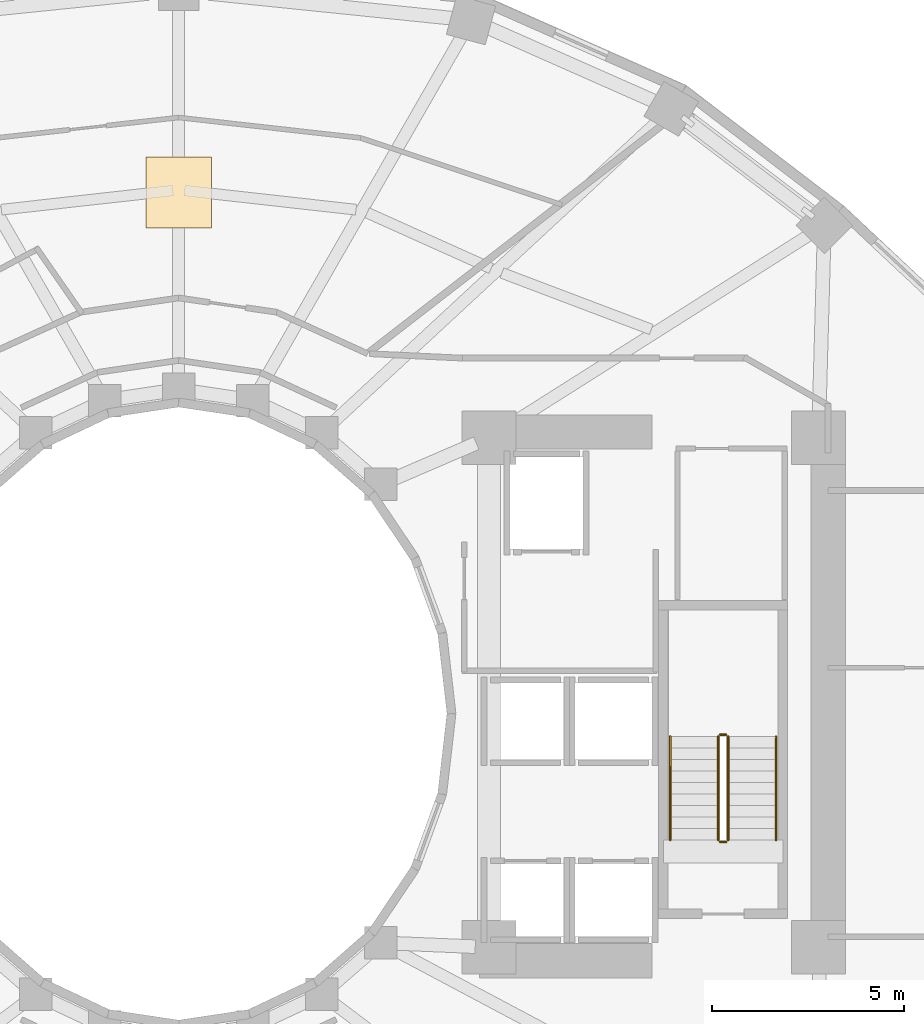
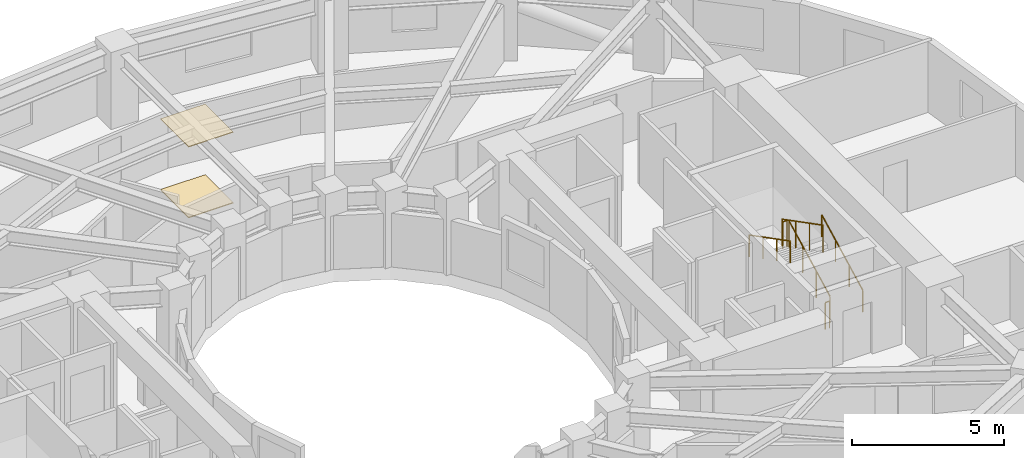
# One storey, part 9 of 9: 6 railings, 2 coverings.
"""IFC4 building model written with IfcOpenShell, lengths in metres."""

from ifc_helpers import new_model, si_unit, direction, frame, origin, origin_2d, place, context, subcontext, project, spatial, polyline, circle, outline, extrude, material, layer, layer_set, type_object, element, save


model = new_model("IFC4")

# Units and contexts
model_context = context("Model", 3, precision=1e-05, world=origin(), true_north=direction((0.0, 1.0)))
body_context = subcontext(model_context, "Body", "Model", "MODEL_VIEW")
ifc_project = project(units=[si_unit("LENGTHUNIT", "METRE"), si_unit("AREAUNIT", "SQUARE_METRE"), si_unit("VOLUMEUNIT", "CUBIC_METRE"), si_unit("PLANEANGLEUNIT", "RADIAN"), si_unit("MASSUNIT", "GRAM", prefix="KILO")], contexts=[model_context])

# Site, building, storey
site_placement = place(None, origin())
site = spatial("IfcSite", under=ifc_project, at=site_placement, CompositionType="ELEMENT")
building_placement = place(site_placement, origin())
building = spatial("IfcBuilding", under=site, at=building_placement, Name="Solvane Sanctuary Tower", CompositionType="ELEMENT")
storey_placement = place(building_placement, frame((0.0, 0.0, 76.300048828125)))
storey = spatial("IfcBuildingStorey", under=building, at=storey_placement, Name="L22", CompositionType="ELEMENT", Elevation=76.300048828125)

# Coverings
ifc_material_1 = material(Name="Acoustic Gypsum Partition Board")
ifc_layer_1 = layer(ifc_material_1, 0.02490234375, Name="Acoustic Gypsum Partition Board")
ifc_layer_set_1 = layer_set([ifc_layer_1], Name="Acoustic Gypsum Partition Board")
covering_type_1 = type_object("IfcCoveringType", Name="Covering CLG-ACOUST", PredefinedType="CEILING", material=ifc_layer_set_1)
covering_1_placement = place(storey_placement, frame((0.0, 0.0, 2.849853515625)))
element("IfcCovering", 1, at=covering_1_placement, inside=storey, type_object=covering_type_1, Name="L22 Unit Acoustic Ceiling Panel 1", PredefinedType="CEILING", context=body_context, shape_type="SweptSolid", body=[
    extrude(outline(polyline([(31.14990234375, 35.675048828125), (32.85009765625, 35.675048828125), (32.85009765625, 37.52490234375), (31.14990234375, 37.52490234375), (31.14990234375, 35.675048828125)])), origin(), (0.0, 0.0, 1.0), 0.030029296875),
])
ifc_material_2 = material(Name="Ceramic Tile Finish")
ifc_layer_2 = layer(ifc_material_2, 0.030029296875, Name="Ceramic Tile Finish")
ifc_layer_set_2 = layer_set([ifc_layer_2], Name="Ceramic Tile Finish")
covering_type_2 = type_object("IfcCoveringType", Name="Covering FLR-TERRAZZO", PredefinedType="FLOORING", material=ifc_layer_set_2)
covering_2_placement = place(storey_placement, origin())
element("IfcCovering", 2, at=covering_2_placement, inside=storey, type_object=covering_type_2, Name="L22 Unit Terrazzo Inlay 1", PredefinedType="FLOORING", context=body_context, shape_type="SweptSolid", body=[
    extrude(outline(polyline([(31.14990234375, 35.675048828125), (32.85009765625, 35.675048828125), (32.85009765625, 37.52490234375), (31.14990234375, 37.52490234375), (31.14990234375, 35.675048828125)])), origin(), (0.0, 0.0, 1.0), 0.034912109375),
])

# Railings
ifc_material_3 = material(Name="Architectural Stainless Steel 316", Category="steel")
railing_type_1 = type_object("IfcRailingType", Name="Railing GR-BALC-1150", PredefinedType="BALUSTRADE", material=ifc_material_3)
railing_1_placement = place(storey_placement, frame((46.340087890625, 19.699951171875, 0.155029296875)))
element("IfcRailing", 3, at=railing_1_placement, inside=storey, type_object=railing_type_1, Name="L22 ST-2 stair guard 1", PredefinedType="BALUSTRADE", context=body_context, shape_type="SweptSolid", body=[
    extrude(circle(Radius=0.02392578125, at=origin_2d()), frame((0.0, 0.0, 1.076171875), z_axis=(0.0, 0.888419900624, 0.459031676658), x_axis=(-1.0, 0.0, 0.0)), (0.0, 0.0, 1.0), 3.0390625),
    extrude(circle(Radius=0.02099609375, at=origin_2d()), origin(), (0.0, 0.0, 1.0), 1.052001953125),
    extrude(circle(Radius=0.02099609375, at=origin_2d()), frame((0.0, 0.89990234375, 0.465087890625)), (0.0, 0.0, 1.0), 1.052001953125),
    extrude(circle(Radius=0.02099609375, at=origin_2d()), frame((0.0, 1.800048828125, 0.929931640625)), (0.0, 0.0, 1.0), 1.052001953125),
    extrude(circle(Radius=0.02099609375, at=origin_2d()), frame((0.0, 2.699951171875, 1.39501953125)), (0.0, 0.0, 1.0), 1.052001953125),
])
railing_2_placement = place(storey_placement, frame((46.2900390625, 22.449951171875, 1.550048828125)))
element("IfcRailing", 4, at=railing_2_placement, inside=storey, type_object=railing_type_1, Name="L22 ST-2 stair guard 2", PredefinedType="BALUSTRADE", context=body_context, shape_type="SweptSolid", body=[
    extrude(circle(Radius=0.02392578125, at=origin_2d()), frame((0.0, 0.0, 1.076171875), z_axis=(-1.0, 0.0, 0.0), x_axis=(0.0, -1.0, 0.0)), (0.0, 0.0, 1.0), 0.16015625),
    extrude(circle(Radius=0.02099609375, at=origin_2d()), origin(), (0.0, 0.0, 1.0), 1.052001953125),
    extrude(circle(Radius=0.02099609375, at=origin_2d()), frame((-0.16015625, 0.0, 0.0)), (0.0, 0.0, 1.0), 1.052001953125),
])
railing_3_placement = place(storey_placement, frame((46.080078125, 22.39990234375, 1.704833984375)))
element("IfcRailing", 5, at=railing_3_placement, inside=storey, type_object=railing_type_1, Name="L22 ST-2 stair guard 3", PredefinedType="BALUSTRADE", context=body_context, shape_type="SweptSolid", body=[
    extrude(circle(Radius=0.02392578125, at=origin_2d()), frame((0.0, 0.0, 1.076171875), z_axis=(0.0, -0.888419900624, 0.459031676658), x_axis=(1.0, 0.0, 0.0)), (0.0, 0.0, 1.0), 3.0390625),
    extrude(circle(Radius=0.02099609375, at=origin_2d()), origin(), (0.0, 0.0, 1.0), 1.052001953125),
    extrude(circle(Radius=0.02099609375, at=origin_2d()), frame((0.0, -0.89990234375, 0.465087890625)), (0.0, 0.0, 1.0), 1.052001953125),
    extrude(circle(Radius=0.02099609375, at=origin_2d()), frame((0.0, -1.800048828125, 0.929931640625)), (0.0, 0.0, 1.0), 1.052001953125),
    extrude(circle(Radius=0.02099609375, at=origin_2d()), frame((0.0, -2.699951171875, 1.39501953125)), (0.0, 0.0, 1.0), 1.052001953125),
])
railing_4_placement = place(storey_placement, frame((46.2900390625, 19.64990234375, 0.0)))
element("IfcRailing", 6, at=railing_4_placement, inside=storey, type_object=railing_type_1, Name="L22 ST-2 stair guard 4", PredefinedType="BALUSTRADE", context=body_context, shape_type="SweptSolid", body=[
    extrude(circle(Radius=0.02392578125, at=origin_2d()), frame((0.0, 0.0, 1.076171875), z_axis=(-1.0, 0.0, 0.0), x_axis=(0.0, -1.0, 0.0)), (0.0, 0.0, 1.0), 0.16015625),
    extrude(circle(Radius=0.02099609375, at=origin_2d()), origin(), (0.0, 0.0, 1.0), 1.052001953125),
    extrude(circle(Radius=0.02099609375, at=origin_2d()), frame((-0.16015625, 0.0, 0.0)), (0.0, 0.0, 1.0), 1.052001953125),
])
railing_type_2 = type_object("IfcRailingType", Name="Railing HR-STAIR-920", PredefinedType="HANDRAIL", material=ifc_material_3)
railing_5_placement = place(storey_placement, frame((47.590087890625, 19.699951171875, 0.155029296875)))
element("IfcRailing", 7, at=railing_5_placement, inside=storey, type_object=railing_type_2, Name="L22 ST-2 stair handrail 1", PredefinedType="HANDRAIL", context=body_context, shape_type="SweptSolid", body=[
    extrude(circle(Radius=0.02392578125, at=origin_2d()), frame((0.0, 0.0, 0.8759765625), z_axis=(0.0, 0.888419900624, 0.459031676658), x_axis=(-1.0, 0.0, 0.0)), (0.0, 0.0, 1.0), 3.0390625),
    extrude(circle(Radius=0.02099609375, at=origin_2d()), origin(), (0.0, 0.0, 1.0), 0.851806640625),
    extrude(circle(Radius=0.02099609375, at=origin_2d()), frame((0.0, 0.89990234375, 0.465087890625)), (0.0, 0.0, 1.0), 0.851806640625),
    extrude(circle(Radius=0.02099609375, at=origin_2d()), frame((0.0, 1.800048828125, 0.929931640625)), (0.0, 0.0, 1.0), 0.851806640625),
    extrude(circle(Radius=0.02099609375, at=origin_2d()), frame((0.0, 2.699951171875, 1.39501953125)), (0.0, 0.0, 1.0), 0.851806640625),
])
railing_6_placement = place(storey_placement, frame((44.830078125, 22.39990234375, 1.704833984375)))
element("IfcRailing", 8, at=railing_6_placement, inside=storey, type_object=railing_type_2, Name="L22 ST-2 stair handrail 2", PredefinedType="HANDRAIL", context=body_context, shape_type="SweptSolid", body=[
    extrude(circle(Radius=0.02392578125, at=origin_2d()), frame((0.0, 0.0, 0.8759765625), z_axis=(0.0, -0.888419900624, 0.459031676658), x_axis=(1.0, 0.0, 0.0)), (0.0, 0.0, 1.0), 3.0390625),
    extrude(circle(Radius=0.02099609375, at=origin_2d()), origin(), (0.0, 0.0, 1.0), 0.851806640625),
    extrude(circle(Radius=0.02099609375, at=origin_2d()), frame((0.0, -0.89990234375, 0.465087890625)), (0.0, 0.0, 1.0), 0.851806640625),
    extrude(circle(Radius=0.02099609375, at=origin_2d()), frame((0.0, -1.800048828125, 0.929931640625)), (0.0, 0.0, 1.0), 0.851806640625),
    extrude(circle(Radius=0.02099609375, at=origin_2d()), frame((0.0, -2.699951171875, 1.39501953125)), (0.0, 0.0, 1.0), 0.851806640625),
])

save(model, "model.ifc")
